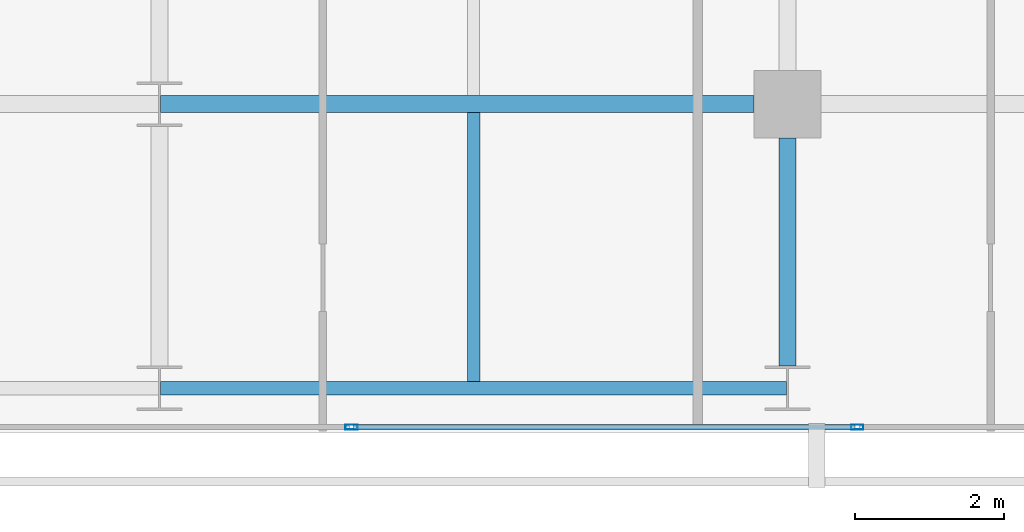
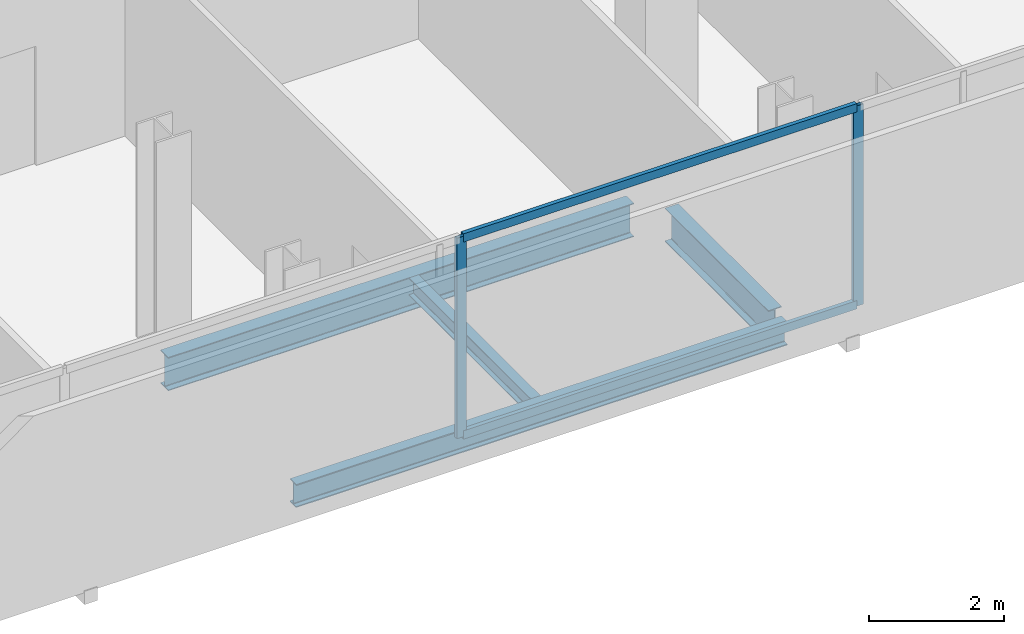
# One storey, part 12 of 34: 4 beams, 4 members, 1 element without a shape of its own.
"""IFC4 building model written with IfcOpenShell, lengths in metres."""

from ifc_helpers import new_model, si_unit, direction, frame, origin, origin_2d, place, context, subcontext, project, spatial, hollow_rectangle, i_section, extrude, material, layer, layer_set, material_profile, profile_set, type_object, element, aggregate, save


model = new_model("IFC4")

# Units and contexts
model_context = context("Model", 3, precision=1e-05, world=origin(), true_north=direction((0.0, 1.0)))
body_context = subcontext(model_context, "Body", "Model", "MODEL_VIEW")
ifc_project = project(units=[si_unit("LENGTHUNIT", "METRE"), si_unit("AREAUNIT", "SQUARE_METRE"), si_unit("VOLUMEUNIT", "CUBIC_METRE"), si_unit("PLANEANGLEUNIT", "RADIAN"), si_unit("MASSUNIT", "GRAM", prefix="KILO")], contexts=[model_context])

# Site, building, storey
site_placement = place(None, origin())
site = spatial("IfcSite", under=ifc_project, at=site_placement, CompositionType="ELEMENT")
building_placement = place(site_placement, origin())
building = spatial("IfcBuilding", under=site, at=building_placement, Name="Maruvema Waterfront Hotel and Observation Tower", CompositionType="ELEMENT")
storey_placement = place(building_placement, frame((0.0, 0.0, 185.14990234375)))
storey = spatial("IfcBuildingStorey", under=building, at=storey_placement, Name="L45", CompositionType="ELEMENT", Elevation=185.14990234375)

# Curtain wall, members
ifc_material_1 = material(Name="Anodised bronze aluminium and solar-control low-E IGU", Category="aluminium")
ifc_layer = layer(ifc_material_1, 0.159912109375, Name="Zone 2 Amber Inner Thermal Curtain Wall System CW-03")
ifc_layer_set = layer_set([ifc_layer], Name="Anodised bronze aluminium and solar-control low-E IGU")
curtain_wall_type = type_object("IfcCurtainWallType", Name="Zone 2 Amber Inner Thermal Curtain Wall System CW-03", PredefinedType="USERDEFINED", material=ifc_layer_set)
curtain_wall_placement = place(storey_placement, origin())
curtain_wall = element("IfcCurtainWall", 1, at=curtain_wall_placement, inside=storey, type_object=curtain_wall_type, Name="L45 Curtain Wall CW-L45-S", ObjectType="UNITISED CURTAIN WALL", PredefinedType="USERDEFINED")
ifc_material_2 = material(Name="Anodised architectural bronze aluminium", Category="aluminium")
ifc_material_profile_1 = material_profile(ifc_material_2, hollow_rectangle(XDim=0.070068359375, YDim=0.14990234375, WallThickness=0.00390625, at=origin_2d()), Name="ALU-T70x150")
ifc_profile_set_1 = profile_set([ifc_material_profile_1], Name="Anodised architectural bronze aluminium")
member_type_1 = type_object("IfcMemberType", Name="Curtain Wall Horizontal Transom ALU-T70x150", PredefinedType="USERDEFINED", material=ifc_profile_set_1)
member_1_placement = place(storey_placement, frame((44.5966796875, 4.679931640625, 0.030029296875), z_axis=(1.0, 0.0, 0.0), x_axis=(0.0, 1.0, 0.0)))
member_1 = element("IfcMember", 2, at=member_1_placement, type_object=member_type_1, Name="CW-03 transom 5.1", ObjectType="TRANSOM", PredefinedType="USERDEFINED", context=body_context, shape_type="SweptSolid", body=[
    extrude(hollow_rectangle(XDim=0.070068359375, YDim=0.14990234375, WallThickness=0.00390625, at=origin_2d()), origin(), (0.0, 0.0, 1.0), 6.70654296875),
])
member_2_placement = place(storey_placement, frame((44.5966796875, 4.679931640625, 3.580078125), z_axis=(1.0, 0.0, 0.0), x_axis=(0.0, 1.0, 0.0)))
member_2 = element("IfcMember", 3, at=member_2_placement, type_object=member_type_1, Name="CW-03 transom 5.2", ObjectType="TRANSOM", PredefinedType="USERDEFINED", context=body_context, shape_type="SweptSolid", body=[
    extrude(hollow_rectangle(XDim=0.070068359375, YDim=0.14990234375, WallThickness=0.00390625, at=origin_2d()), origin(), (0.0, 0.0, 1.0), 6.70654296875),
])
ifc_material_3 = material(Name="Anodised architectural bronze aluminium", Category="aluminium")
ifc_material_profile_2 = material_profile(ifc_material_3, hollow_rectangle(XDim=0.06494140625, YDim=0.1650390625, WallThickness=0.00390625, at=origin_2d()), Name="ALU-M65x165")
ifc_profile_set_2 = profile_set([ifc_material_profile_2], Name="Anodised architectural bronze aluminium")
member_type_2 = type_object("IfcMemberType", Name="Curtain Wall Primary Mullion ALU-M65x165", PredefinedType="MULLION", material=ifc_profile_set_2)
member_3_placement = place(storey_placement, frame((44.566650390625, 4.679931640625, 0.0), z_axis=(0.0, 0.0, 1.0), x_axis=(0.0, 1.0, 0.0)))
member_3 = element("IfcMember", 4, at=member_3_placement, type_object=member_type_2, Name="CW-03 mullion 5", PredefinedType="MULLION", context=body_context, shape_type="SweptSolid", body=[
    extrude(hollow_rectangle(XDim=0.06494140625, YDim=0.1650390625, WallThickness=0.00390625, at=origin_2d()), origin(), (0.0, 0.0, 1.0), 3.610107421875),
])
member_4_placement = place(storey_placement, frame((51.333251953125, 4.679931640625, 0.0), z_axis=(0.0, 0.0, 1.0), x_axis=(0.0, 1.0, 0.0)))
member_4 = element("IfcMember", 5, at=member_4_placement, type_object=member_type_2, Name="CW-03 mullion 6", PredefinedType="MULLION", context=body_context, shape_type="SweptSolid", body=[
    extrude(hollow_rectangle(XDim=0.06494140625, YDim=0.1650390625, WallThickness=0.00390625, at=origin_2d()), origin(), (0.0, 0.0, 1.0), 3.610107421875),
])
aggregate(curtain_wall, [member_3, member_4, member_1, member_2])

# Beams
ifc_material_4 = material(Name="Steel ASTM A572 Grade 50", Category="steel")
ifc_material_profile_3 = material_profile(ifc_material_4, i_section(OverallWidth=0.180908203125, OverallDepth=0.4169921875, WebThickness=0.010986328125, FlangeThickness=0.018310546875, FilletRadius=0.014892578125, at=origin_2d()), Name="W410x85.0")
ifc_profile_set_3 = profile_set([ifc_material_profile_3], Name="Steel ASTM A572 Grade 50")
beam_type_1 = type_object("IfcBeamType", Name="Perimeter Spandrel Beam W410x85.0", PredefinedType="SPANDREL", material=ifc_profile_set_3)
beam_1_placement = place(storey_placement, frame((42.012451171875, 5.199951171875, -0.448486328125), z_axis=(1.0, 0.0, 0.0), x_axis=(0.0, 1.0, 0.0)))
element("IfcBeam", 6, at=beam_1_placement, inside=storey, type_object=beam_type_1, Name="L45 Floor Girder EW-03", PredefinedType="SPANDREL", context=body_context, shape_type="SweptSolid", body=[
    extrude(i_section(OverallWidth=0.180908203125, OverallDepth=0.4169921875, WebThickness=0.010986328125, FlangeThickness=0.018310546875, FilletRadius=0.014892578125, at=origin_2d()), origin(), (0.0, 0.0, 1.0), 8.375),
])
ifc_material_5 = material(Name="Steel ASTM A572 Grade 50", Category="steel")
ifc_material_profile_4 = material_profile(ifc_material_5, i_section(OverallWidth=0.22802734375, OverallDepth=0.60302734375, WebThickness=0.010498046875, FlangeThickness=0.014892578125, FilletRadius=0.01806640625, at=origin_2d()), Name="W610x101.0")
ifc_profile_set_4 = profile_set([ifc_material_profile_4], Name="Steel ASTM A572 Grade 50")
beam_type_2 = type_object("IfcBeamType", Name="Primary Floor Girder W610x101.0", PredefinedType="BEAM", material=ifc_profile_set_4)
beam_2_placement = place(storey_placement, frame((42.012451171875, 9.0, -0.54150390625), z_axis=(1.0, 0.0, 0.0), x_axis=(0.0, 1.0, 0.0)))
element("IfcBeam", 7, at=beam_2_placement, inside=storey, type_object=beam_type_2, Name="L45 Floor Girder EW-08", PredefinedType="BEAM", context=body_context, shape_type="SweptSolid", body=[
    extrude(i_section(OverallWidth=0.22802734375, OverallDepth=0.60302734375, WebThickness=0.010498046875, FlangeThickness=0.014892578125, FilletRadius=0.01806640625, at=origin_2d()), origin(), (0.0, 0.0, 1.0), 7.9375),
])
beam_3_placement = place(storey_placement, frame((50.39990234375, 5.5, -0.54150390625), z_axis=(0.0, 1.0, 0.0), x_axis=(-1.0, 0.0, 0.0)))
element("IfcBeam", 8, at=beam_3_placement, inside=storey, type_object=beam_type_2, Name="L45 Floor Girder NS-20", PredefinedType="BEAM", context=body_context, shape_type="SweptSolid", body=[
    extrude(i_section(OverallWidth=0.22802734375, OverallDepth=0.60302734375, WebThickness=0.010498046875, FlangeThickness=0.014892578125, FilletRadius=0.01806640625, at=origin_2d()), origin(), (0.0, 0.0, 1.0), 3.050048828125),
])
ifc_material_6 = material(Name="Steel ASTM A572 Grade 50", Category="steel")
ifc_material_profile_5 = material_profile(ifc_material_6, i_section(OverallWidth=0.1669921875, OverallDepth=0.31689453125, WebThickness=0.007568359375, FlangeThickness=0.01318359375, FilletRadius=0.012939453125, at=origin_2d()), Name="W310x52.0")
ifc_profile_set_5 = profile_set([ifc_material_profile_5], Name="Steel ASTM A572 Grade 50")
beam_type_3 = type_object("IfcBeamType", Name="Secondary Floor Joist W310x52.0", PredefinedType="JOIST", material=ifc_profile_set_5)
beam_4_placement = place(storey_placement, frame((46.199951171875, 5.29052734375, -0.3984375), z_axis=(0.0, 1.0, 0.0), x_axis=(-1.0, 0.0, 0.0)))
element("IfcBeam", 9, at=beam_4_placement, inside=storey, type_object=beam_type_3, Name="L45 Secondary Floor Joist JS-09", PredefinedType="JOIST", context=body_context, shape_type="SweptSolid", body=[
    extrude(i_section(OverallWidth=0.1669921875, OverallDepth=0.31689453125, WebThickness=0.007568359375, FlangeThickness=0.01318359375, FilletRadius=0.012939453125, at=origin_2d()), origin(), (0.0, 0.0, 1.0), 3.595458984375),
])

save(model, "model.ifc")
